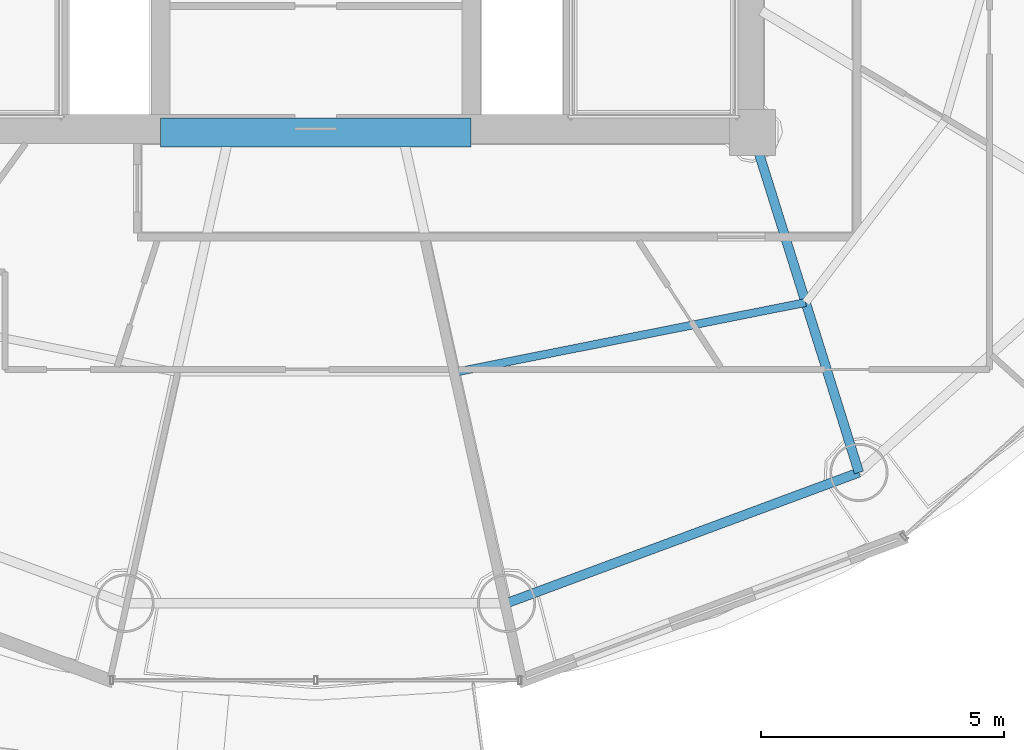
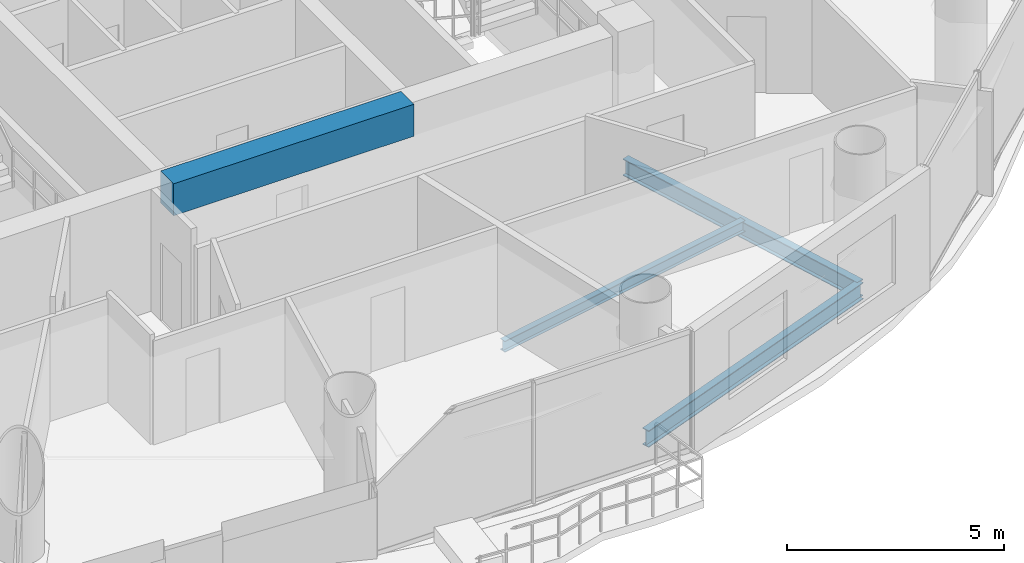
# One storey, part 6 of 27: 4 beams.
"""IFC4 building model written with IfcOpenShell, lengths in metres."""

from ifc_helpers import new_model, si_unit, direction, frame, origin, origin_2d, place, context, subcontext, project, spatial, rectangle, i_section, extrude, material, material_profile, profile_set, type_object, element, save


model = new_model("IFC4")

# Units and contexts
model_context = context("Model", 3, precision=1e-05, world=origin(), true_north=direction((-0.2419218956, 0.970295726276)))
body_context = subcontext(model_context, "Body", "Model", "MODEL_VIEW")
ifc_project = project(units=[si_unit("LENGTHUNIT", "METRE"), si_unit("AREAUNIT", "SQUARE_METRE"), si_unit("VOLUMEUNIT", "CUBIC_METRE"), si_unit("PLANEANGLEUNIT", "RADIAN"), si_unit("MASSUNIT", "GRAM", prefix="KILO")], contexts=[model_context])

# Site, building, storey
site_placement = place(None, origin())
site = spatial("IfcSite", under=ifc_project, at=site_placement, CompositionType="ELEMENT")
building_placement = place(site_placement, origin())
building = spatial("IfcBuilding", under=site, at=building_placement, Name="Cobrevalo Terracotta Tower", CompositionType="ELEMENT")
storey_placement = place(building_placement, frame((0.0, 0.0, 191.199951171875)))
storey = spatial("IfcBuildingStorey", under=building, at=storey_placement, Name="L50", CompositionType="ELEMENT", Elevation=191.199951171875)

# Beams
ifc_material_1 = material(Name="Concrete C60", Category="concrete")
ifc_material_profile_1 = material_profile(ifc_material_1, rectangle(XDim=0.60009765625, YDim=0.89990234375, at=origin_2d()), Name="RC CB 600x900")
ifc_profile_set_1 = profile_set([ifc_material_profile_1], Name="Concrete C60")
beam_type_1 = type_object("IfcBeamType", Name="Structural Beam RC CB 600x900 (Concrete C60)", PredefinedType="BEAM", material=ifc_profile_set_1)
beam_1_placement = place(storey_placement, frame((34.800048828125, 18.800048828125, 2.985107421875), z_axis=(1.0, 0.0, 0.0), x_axis=(0.0, 1.0, 0.0)))
element("IfcBeam", 1, at=beam_1_placement, inside=storey, type_object=beam_type_1, Name="L50 core coupling beam 1", PredefinedType="BEAM", context=body_context, shape_type="SweptSolid", body=[
    extrude(rectangle(XDim=0.60009765625, YDim=0.89990234375, at=origin_2d()), origin(), (0.0, 0.0, 1.0), 6.39990234375),
])
ifc_material_2 = material(Name="Steel S355", Category="steel")
ifc_material_profile_2 = material_profile(ifc_material_2, i_section(OverallWidth=0.194091796875, OverallDepth=0.468994140625, WebThickness=0.011474609375, FlangeThickness=0.0205078125, at=origin_2d()), Name="W 460x106")
ifc_profile_set_2 = profile_set([ifc_material_profile_2], Name="Steel S355")
beam_type_2 = type_object("IfcBeamType", Name="Structural Beam W 460x106 (Steel S355)", PredefinedType="BEAM", material=ifc_profile_set_2)
beam_2_placement = place(storey_placement, frame((49.19482421875, 11.7919921875, -0.49951171875), z_axis=(-0.298871212691, 0.954293454984, 0.0), x_axis=(-0.954293454984, -0.298871212691, 0.0)))
element("IfcBeam", 2, at=beam_2_placement, inside=storey, type_object=beam_type_2, Name="L50 radial floor girder 14", PredefinedType="BEAM", context=body_context, shape_type="SweptSolid", body=[
    extrude(i_section(OverallWidth=0.194091796875, OverallDepth=0.468994140625, WebThickness=0.011474609375, FlangeThickness=0.0205078125, at=origin_2d()), origin(), (0.0, 0.0, 1.0), 7.34375),
])
ifc_material_profile_3 = material_profile(ifc_material_2, i_section(OverallWidth=0.1650390625, OverallDepth=0.31005859375, WebThickness=0.005859375, FlangeThickness=0.009765625, at=origin_2d()), Name="W 310x38.7")
ifc_profile_set_3 = profile_set([ifc_material_profile_3], Name="Steel S355")
beam_type_3 = type_object("IfcBeamType", Name="Structural Joist W 310x38.7 (Steel S355)", PredefinedType="JOIST", material=ifc_profile_set_3)
beam_3_placement = place(storey_placement, frame((40.873779296875, 13.8583984375, -0.419921875), z_axis=(0.980768907748, 0.195172614871, 0.0), x_axis=(-0.195172614871, 0.980768907748, 0.0)))
element("IfcBeam", 3, at=beam_3_placement, inside=storey, type_object=beam_type_3, Name="L50 circumferential secondary floor joist 13", PredefinedType="JOIST", context=body_context, shape_type="SweptSolid", body=[
    extrude(i_section(OverallWidth=0.1650390625, OverallDepth=0.31005859375, WebThickness=0.005859375, FlangeThickness=0.009765625, at=origin_2d()), origin(), (0.0, 0.0, 1.0), 7.365234375),
])
ifc_material_profile_4 = material_profile(ifc_material_2, i_section(OverallWidth=0.194091796875, OverallDepth=0.468994140625, WebThickness=0.011474609375, FlangeThickness=0.0205078125, at=origin_2d()), Name="W 460x106")
ifc_profile_set_4 = profile_set([ifc_material_profile_4], Name="Steel S355")
beam_type_4 = type_object("IfcBeamType", Name="Structural Spandrel W 460x106 (Steel S355)", PredefinedType="SPANDREL", material=ifc_profile_set_4)
beam_4_placement = place(storey_placement, frame((41.93115234375, 9.096923828125, -0.49951171875), z_axis=(0.937545996665, 0.347861328892, 0.0), x_axis=(-0.347861328892, 0.937545996665, 0.0)))
element("IfcBeam", 4, at=beam_4_placement, inside=storey, type_object=beam_type_4, Name="L50 perimeter ring spandrel 13", PredefinedType="SPANDREL", context=body_context, shape_type="SweptSolid", body=[
    extrude(i_section(OverallWidth=0.194091796875, OverallDepth=0.468994140625, WebThickness=0.011474609375, FlangeThickness=0.0205078125, at=origin_2d()), origin(), (0.0, 0.0, 1.0), 7.74755859375),
])

save(model, "model.ifc")
